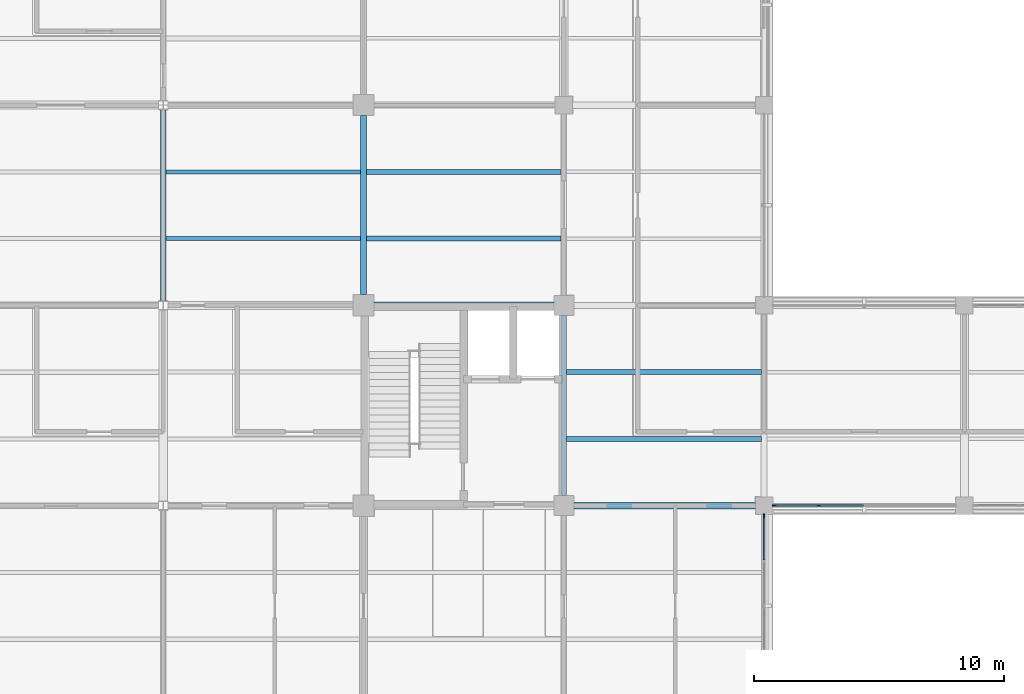
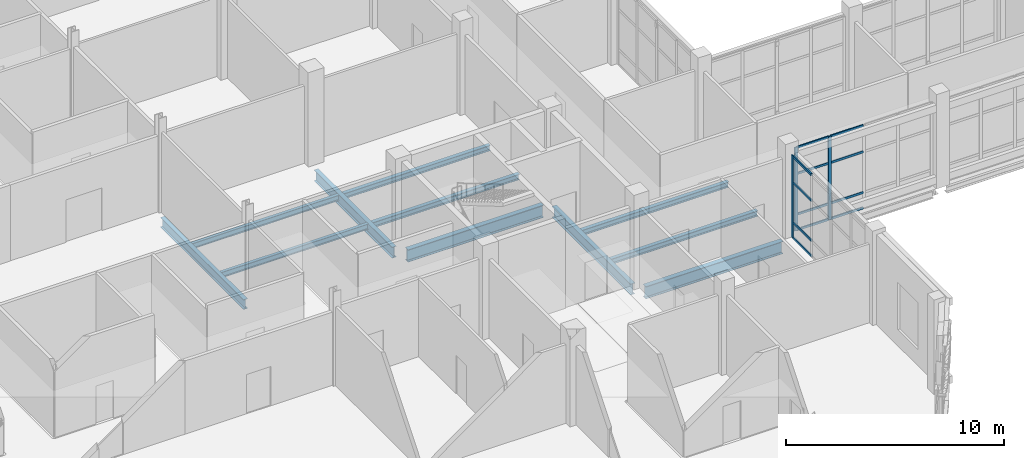
# One storey, part 22 of 105: 15 members, 11 beams, 2 elements without a shape of their own.
"""IFC4 building model written with IfcOpenShell, lengths in metres."""

from ifc_helpers import new_model, si_unit, derived_unit, direction, frame, origin, origin_2d, place, context, subcontext, project, spatial, rectangle, i_section, extrude, material, layer, layer_set, material_profile, profile_set, type_object, element, aggregate, save


model = new_model("IFC4")

# Units and contexts
model_context = context("Model", 3, precision=1e-05, world=origin(), true_north=direction((0.0, 1.0)))
body_context = subcontext(model_context, "Body", "Model", "MODEL_VIEW")
ifc_project = project(units=[si_unit("LENGTHUNIT", "METRE"), si_unit("AREAUNIT", "SQUARE_METRE"), si_unit("VOLUMEUNIT", "CUBIC_METRE"), si_unit("PLANEANGLEUNIT", "RADIAN"), si_unit("MASSUNIT", "GRAM", prefix="KILO"), derived_unit("THERMALTRANSMITTANCEUNIT", [(si_unit("MASSUNIT", "GRAM", prefix="KILO"), 1), (si_unit("TIMEUNIT", "SECOND"), -3), (si_unit("THERMODYNAMICTEMPERATUREUNIT", "KELVIN"), -1)])], contexts=[model_context])

# Site, building, storey
site_placement = place(None, origin())
site = spatial("IfcSite", under=ifc_project, at=site_placement, CompositionType="ELEMENT")
building_placement = place(site_placement, origin())
building = spatial("IfcBuilding", under=site, at=building_placement, Name="Veyamyaing Civic Hall", CompositionType="ELEMENT")
storey_placement = place(building_placement, origin())
storey = spatial("IfcBuildingStorey", under=building, at=storey_placement, Name="L00", CompositionType="ELEMENT", Elevation=0.0)

# Beams
ifc_material_1 = material(Name="Steel ASTM A992", Category="steel")
ifc_material_profile_1 = material_profile(ifc_material_1, i_section(OverallWidth=0.256103515625, OverallDepth=0.693115234375, WebThickness=0.014404296875, FlangeThickness=0.023681640625, FilletRadius=0.013916015625, at=origin_2d()), Name="W690X170")
ifc_profile_set_1 = profile_set([ifc_material_profile_1], Name="Steel ASTM A992")
beam_type_1 = type_object("IfcBeamType", Name="B-04", PredefinedType="BEAM", material=ifc_profile_set_1)
beam_1_placement = place(storey_placement, frame((112.39990234375, 48.0, -0.611572265625), z_axis=(1.0, 0.0, 0.0), x_axis=(0.0, 1.0, 0.0)))
element("IfcBeam", 1, at=beam_1_placement, inside=storey, type_object=beam_type_1, Name="Girder B-04 L00 Grid G 15-16", PredefinedType="BEAM", context=body_context, shape_type="SweptSolid", body=[
    extrude(i_section(OverallWidth=0.256103515625, OverallDepth=0.693115234375, WebThickness=0.014404296875, FlangeThickness=0.023681640625, FilletRadius=0.013916015625, at=origin_2d()), origin(), (0.0, 0.0, 1.0), 7.25),
])
beam_2_placement = place(storey_placement, frame((104.425048828125, 56.0, -0.611572265625), z_axis=(1.0, 0.0, 0.0), x_axis=(0.0, 1.0, 0.0)))
element("IfcBeam", 2, at=beam_2_placement, inside=storey, type_object=beam_type_1, Name="Girder B-04 L00 Grid H 14-15", PredefinedType="BEAM", context=body_context, shape_type="SweptSolid", body=[
    extrude(i_section(OverallWidth=0.256103515625, OverallDepth=0.693115234375, WebThickness=0.014404296875, FlangeThickness=0.023681640625, FilletRadius=0.013916015625, at=origin_2d()), origin(), (0.0, 0.0, 1.0), 7.175048828125),
])
ifc_material_profile_2 = material_profile(ifc_material_1, i_section(OverallWidth=0.22998046875, OverallDepth=0.616943359375, WebThickness=0.01318359375, FlangeThickness=0.022216796875, FilletRadius=0.012939453125, at=origin_2d()), Name="W610X140")
ifc_profile_set_2 = profile_set([ifc_material_profile_2], Name="Steel ASTM A992")
beam_type_2 = type_object("IfcBeamType", Name="B-05", PredefinedType="BEAM", material=ifc_profile_set_2)
beam_3_placement = place(storey_placement, frame((104.0, 56.425048828125, -0.573486328125), z_axis=(0.0, 1.0, 0.0), x_axis=(-1.0, 0.0, 0.0)))
element("IfcBeam", 3, at=beam_3_placement, inside=storey, type_object=beam_type_2, Name="Girder B-05 L00 Grid 14 H-J", PredefinedType="BEAM", context=body_context, shape_type="SweptSolid", body=[
    extrude(i_section(OverallWidth=0.22998046875, OverallDepth=0.616943359375, WebThickness=0.01318359375, FlangeThickness=0.022216796875, FilletRadius=0.012939453125, at=origin_2d()), origin(), (0.0, 0.0, 1.0), 7.14990234375),
])
beam_4_placement = place(storey_placement, frame((112.0, 48.39990234375, -0.573486328125), z_axis=(0.0, 1.0, 0.0), x_axis=(-1.0, 0.0, 0.0)))
element("IfcBeam", 4, at=beam_4_placement, inside=storey, type_object=beam_type_2, Name="Girder B-05 L00 Grid 15 G-H", PredefinedType="BEAM", context=body_context, shape_type="SweptSolid", body=[
    extrude(i_section(OverallWidth=0.22998046875, OverallDepth=0.616943359375, WebThickness=0.01318359375, FlangeThickness=0.022216796875, FilletRadius=0.012939453125, at=origin_2d()), origin(), (0.0, 0.0, 1.0), 7.2001953125),
])
ifc_material_profile_3 = material_profile(ifc_material_1, i_section(OverallWidth=0.214111328125, OverallDepth=0.549072265625, WebThickness=0.0146484375, FlangeThickness=0.023681640625, FilletRadius=0.011962890625, at=origin_2d()), Name="W530X138")
ifc_profile_set_3 = profile_set([ifc_material_profile_3], Name="Steel ASTM A992")
beam_type_3 = type_object("IfcBeamType", Name="B-16", PredefinedType="BEAM", material=ifc_profile_set_3)
beam_5_placement = place(storey_placement, frame((96.0, 56.193603515625, -0.53955078125), z_axis=(0.0, 1.0, 0.0), x_axis=(-1.0, 0.0, 0.0)))
element("IfcBeam", 5, at=beam_5_placement, inside=storey, type_object=beam_type_3, Name="Girder B-16 L00 Grid 13 H-J", PredefinedType="BEAM", context=body_context, shape_type="SweptSolid", body=[
    extrude(i_section(OverallWidth=0.214111328125, OverallDepth=0.549072265625, WebThickness=0.0146484375, FlangeThickness=0.023681640625, FilletRadius=0.011962890625, at=origin_2d()), origin(), (0.0, 0.0, 1.0), 7.61279296875),
])

# Curtain wall, members
ifc_material_2 = material(Name="Anodised aluminium 6063-T6", Category="aluminium")
ifc_layer_1 = layer(ifc_material_2, 0.159912109375, Name="Anodised aluminium 6063-T6")
ifc_layer_set_1 = layer_set([ifc_layer_1], Name="Anodised aluminium 6063-T6")
curtain_wall_type_1 = type_object("IfcCurtainWallType", Name="CW-01", PredefinedType="NOTDEFINED", material=ifc_layer_set_1)
curtain_wall_1_placement = place(storey_placement, origin())
curtain_wall_1 = element("IfcCurtainWall", 6, at=curtain_wall_1_placement, inside=storey, type_object=curtain_wall_type_1, Name="Unitized curtain wall CW-01 L00 S 16.7", PredefinedType="NOTDEFINED")
ifc_material_profile_4 = material_profile(ifc_material_2, rectangle(XDim=0.06494140625, YDim=0.159912109375, at=origin_2d()), Name="ALU-MUL-65X160")
ifc_profile_set_4 = profile_set([ifc_material_profile_4], Name="Anodised aluminium 6063-T6")
member_type_1 = type_object("IfcMemberType", Name="CWM-01", PredefinedType="MULLION", material=ifc_profile_set_4)
member_1_placement = place(storey_placement, frame((120.41259765625, 48.0, 0.0), z_axis=(0.0, 0.0, 1.0), x_axis=(0.0, 1.0, 0.0)))
member_1 = element("IfcMember", 7, at=member_1_placement, type_object=member_type_1, Name="CW-01 mullion 1", PredefinedType="MULLION", context=body_context, shape_type="SweptSolid", body=[
    extrude(rectangle(XDim=0.06494140625, YDim=0.159912109375, at=origin_2d()), origin(), (0.0, 0.0, 1.0), 4.674072265625),
])
member_2_placement = place(storey_placement, frame((122.18994140625, 48.0, 0.0), z_axis=(0.0, 0.0, 1.0), x_axis=(0.0, 1.0, 0.0)))
member_2 = element("IfcMember", 8, at=member_2_placement, type_object=member_type_1, Name="CW-01 mullion 2", PredefinedType="MULLION", context=body_context, shape_type="SweptSolid", body=[
    extrude(rectangle(XDim=0.06494140625, YDim=0.159912109375, at=origin_2d()), origin(), (0.0, 0.0, 1.0), 4.674072265625),
])

# Curtain wall, member
ifc_layer_2 = layer(ifc_material_2, 0.179931640625, Name="Anodised aluminium 6063-T6")
ifc_layer_set_2 = layer_set([ifc_layer_2], Name="Anodised aluminium 6063-T6")
curtain_wall_type_2 = type_object("IfcCurtainWallType", Name="CW-06", PredefinedType="NOTDEFINED", material=ifc_layer_set_2)
curtain_wall_2_placement = place(storey_placement, origin())
curtain_wall_2 = element("IfcCurtainWall", 9, at=curtain_wall_2_placement, inside=storey, type_object=curtain_wall_type_2, Name="Unitized curtain wall CW-06 L00 E 15.6", PredefinedType="NOTDEFINED")
ifc_material_profile_5 = material_profile(ifc_material_2, rectangle(XDim=0.06494140625, YDim=0.179931640625, at=origin_2d()), Name="ALU-MUL-65X180")
ifc_profile_set_5 = profile_set([ifc_material_profile_5], Name="Anodised aluminium 6063-T6")
member_type_2 = type_object("IfcMemberType", Name="CWM-02", PredefinedType="MULLION", material=ifc_profile_set_5)
member_3_placement = place(storey_placement, frame((120.0, 47.58740234375, 0.0), z_axis=(0.0, 0.0, 1.0), x_axis=(-1.0, 0.0, 0.0)))
member_3 = element("IfcMember", 10, at=member_3_placement, type_object=member_type_2, Name="CW-06 mullion 5", PredefinedType="MULLION", context=body_context, shape_type="SweptSolid", body=[
    extrude(rectangle(XDim=0.06494140625, YDim=0.179931640625, at=origin_2d()), origin(), (0.0, 0.0, 1.0), 4.610107421875),
])

# Member
ifc_material_profile_6 = material_profile(ifc_material_2, rectangle(XDim=0.06494140625, YDim=0.1201171875, at=origin_2d()), Name="ALU-TRN-65X120")
ifc_profile_set_6 = profile_set([ifc_material_profile_6], Name="Anodised aluminium 6063-T6")
member_type_3 = type_object("IfcMemberType", Name="CWT-01", PredefinedType="USERDEFINED", material=ifc_profile_set_6)
member_4_placement = place(storey_placement, frame((120.445068359375, 48.0, 0.032470703125), z_axis=(1.0, 0.0, 0.0), x_axis=(0.0, 1.0, 0.0)))
member_4 = element("IfcMember", 11, at=member_4_placement, type_object=member_type_3, Name="CW-01 transom 1.1", ObjectType="TRANSOM", PredefinedType="USERDEFINED", context=body_context, shape_type="SweptSolid", body=[
    extrude(rectangle(XDim=0.06494140625, YDim=0.1201171875, at=origin_2d()), origin(), (0.0, 0.0, 1.0), 1.71240234375),
])

member_5_placement = place(storey_placement, frame((120.445068359375, 48.0, 0.89990234375), z_axis=(1.0, 0.0, 0.0), x_axis=(0.0, 1.0, 0.0)))
member_5 = element("IfcMember", 12, at=member_5_placement, type_object=member_type_3, Name="CW-01 transom 1.2", ObjectType="TRANSOM", PredefinedType="USERDEFINED", context=body_context, shape_type="SweptSolid", body=[
    extrude(rectangle(XDim=0.06494140625, YDim=0.1201171875, at=origin_2d()), origin(), (0.0, 0.0, 1.0), 1.71240234375),
])

member_6_placement = place(storey_placement, frame((120.445068359375, 48.0, 3.17822265625), z_axis=(1.0, 0.0, 0.0), x_axis=(0.0, 1.0, 0.0)))
member_6 = element("IfcMember", 13, at=member_6_placement, type_object=member_type_3, Name="CW-01 transom 1.3", ObjectType="TRANSOM", PredefinedType="USERDEFINED", context=body_context, shape_type="SweptSolid", body=[
    extrude(rectangle(XDim=0.06494140625, YDim=0.1201171875, at=origin_2d()), origin(), (0.0, 0.0, 1.0), 1.71240234375),
])

member_7_placement = place(storey_placement, frame((120.445068359375, 48.0, 4.6416015625), z_axis=(1.0, 0.0, 0.0), x_axis=(0.0, 1.0, 0.0)))
member_7 = element("IfcMember", 14, at=member_7_placement, type_object=member_type_3, Name="CW-01 transom 1.4", ObjectType="TRANSOM", PredefinedType="USERDEFINED", context=body_context, shape_type="SweptSolid", body=[
    extrude(rectangle(XDim=0.06494140625, YDim=0.1201171875, at=origin_2d()), origin(), (0.0, 0.0, 1.0), 1.71240234375),
])

member_8_placement = place(storey_placement, frame((122.222412109375, 48.0, 0.032470703125), z_axis=(1.0, 0.0, 0.0), x_axis=(0.0, 1.0, 0.0)))
member_8 = element("IfcMember", 15, at=member_8_placement, type_object=member_type_3, Name="CW-01 transom 2.1", ObjectType="TRANSOM", PredefinedType="USERDEFINED", context=body_context, shape_type="SweptSolid", body=[
    extrude(rectangle(XDim=0.06494140625, YDim=0.1201171875, at=origin_2d()), origin(), (0.0, 0.0, 1.0), 1.7451171875),
])

member_9_placement = place(storey_placement, frame((122.222412109375, 48.0, 0.89990234375), z_axis=(1.0, 0.0, 0.0), x_axis=(0.0, 1.0, 0.0)))
member_9 = element("IfcMember", 16, at=member_9_placement, type_object=member_type_3, Name="CW-01 transom 2.2", ObjectType="TRANSOM", PredefinedType="USERDEFINED", context=body_context, shape_type="SweptSolid", body=[
    extrude(rectangle(XDim=0.06494140625, YDim=0.1201171875, at=origin_2d()), origin(), (0.0, 0.0, 1.0), 1.7451171875),
])

member_10_placement = place(storey_placement, frame((122.222412109375, 48.0, 3.17822265625), z_axis=(1.0, 0.0, 0.0), x_axis=(0.0, 1.0, 0.0)))
member_10 = element("IfcMember", 17, at=member_10_placement, type_object=member_type_3, Name="CW-01 transom 2.3", ObjectType="TRANSOM", PredefinedType="USERDEFINED", context=body_context, shape_type="SweptSolid", body=[
    extrude(rectangle(XDim=0.06494140625, YDim=0.1201171875, at=origin_2d()), origin(), (0.0, 0.0, 1.0), 1.7451171875),
])

member_11_placement = place(storey_placement, frame((122.222412109375, 48.0, 4.6416015625), z_axis=(1.0, 0.0, 0.0), x_axis=(0.0, 1.0, 0.0)))
member_11 = element("IfcMember", 18, at=member_11_placement, type_object=member_type_3, Name="CW-01 transom 2.4", ObjectType="TRANSOM", PredefinedType="USERDEFINED", context=body_context, shape_type="SweptSolid", body=[
    extrude(rectangle(XDim=0.06494140625, YDim=0.1201171875, at=origin_2d()), origin(), (0.0, 0.0, 1.0), 1.7451171875),
])

aggregate(curtain_wall_1, [member_1, member_2, member_4, member_5, member_6, member_7, member_8, member_9, member_10, member_11])

ifc_material_profile_7 = material_profile(ifc_material_2, rectangle(XDim=0.06494140625, YDim=0.139892578125, at=origin_2d()), Name="ALU-TRN-65X140")
ifc_profile_set_7 = profile_set([ifc_material_profile_7], Name="Anodised aluminium 6063-T6")
member_type_4 = type_object("IfcMemberType", Name="CWT-02", PredefinedType="USERDEFINED", material=ifc_profile_set_7)
member_12_placement = place(storey_placement, frame((120.0, 45.842529296875, 0.032470703125), z_axis=(0.0, 1.0, 0.0), x_axis=(-1.0, 0.0, 0.0)))
member_12 = element("IfcMember", 19, at=member_12_placement, type_object=member_type_4, Name="CW-06 transom 4.1", ObjectType="TRANSOM", PredefinedType="USERDEFINED", context=body_context, shape_type="SweptSolid", body=[
    extrude(rectangle(XDim=0.06494140625, YDim=0.139892578125, at=origin_2d()), origin(), (0.0, 0.0, 1.0), 1.71240234375),
])

member_13_placement = place(storey_placement, frame((120.0, 45.842529296875, 0.89990234375), z_axis=(0.0, 1.0, 0.0), x_axis=(-1.0, 0.0, 0.0)))
member_13 = element("IfcMember", 20, at=member_13_placement, type_object=member_type_4, Name="CW-06 transom 4.2", ObjectType="TRANSOM", PredefinedType="USERDEFINED", context=body_context, shape_type="SweptSolid", body=[
    extrude(rectangle(XDim=0.06494140625, YDim=0.139892578125, at=origin_2d()), origin(), (0.0, 0.0, 1.0), 1.71240234375),
])

member_14_placement = place(storey_placement, frame((120.0, 45.842529296875, 3.134765625), z_axis=(0.0, 1.0, 0.0), x_axis=(-1.0, 0.0, 0.0)))
member_14 = element("IfcMember", 21, at=member_14_placement, type_object=member_type_4, Name="CW-06 transom 4.3", ObjectType="TRANSOM", PredefinedType="USERDEFINED", context=body_context, shape_type="SweptSolid", body=[
    extrude(rectangle(XDim=0.06494140625, YDim=0.139892578125, at=origin_2d()), origin(), (0.0, 0.0, 1.0), 1.71240234375),
])

member_15_placement = place(storey_placement, frame((120.0, 45.842529296875, 4.577392578125), z_axis=(0.0, 1.0, 0.0), x_axis=(-1.0, 0.0, 0.0)))
member_15 = element("IfcMember", 22, at=member_15_placement, type_object=member_type_4, Name="CW-06 transom 4.4", ObjectType="TRANSOM", PredefinedType="USERDEFINED", context=body_context, shape_type="SweptSolid", body=[
    extrude(rectangle(XDim=0.06494140625, YDim=0.139892578125, at=origin_2d()), origin(), (0.0, 0.0, 1.0), 1.71240234375),
])

aggregate(curtain_wall_2, [member_3, member_12, member_13, member_14, member_15])

# Beams
ifc_material_profile_8 = material_profile(ifc_material_1, i_section(OverallWidth=0.1650390625, OverallDepth=0.31005859375, WebThickness=0.005859375, FlangeThickness=0.009765625, FilletRadius=0.010009765625, at=origin_2d()), Name="W310X39")
ifc_profile_set_8 = profile_set([ifc_material_profile_8], Name="Steel ASTM A992")
beam_type_4 = type_object("IfcBeamType", Name="J-05", PredefinedType="JOIST", material=ifc_profile_set_8)
for number, where, z_axis, x_axis, name in (
    (23, (96.10498046875, 58.666748046875, -0.419921875), (1.0, 0.0, 0.0), (0.0, 1.0, 0.0), "Composite floor joist J-05 L00 13.8.1"),
    (24, (96.10498046875, 61.333251953125, -0.419921875), (1.0, 0.0, 0.0), (0.0, 1.0, 0.0), "Composite floor joist J-05 L00 13.8.2"),
):
    element("IfcBeam", number, at=place(storey_placement, frame(where, z_axis=z_axis, x_axis=x_axis)), inside=storey, type_object=beam_type_4, Name=name, PredefinedType="JOIST", context=body_context, shape_type="SweptSolid", body=[
        extrude(i_section(OverallWidth=0.1650390625, OverallDepth=0.31005859375, WebThickness=0.005859375, FlangeThickness=0.009765625, FilletRadius=0.010009765625, at=origin_2d()), origin(), (0.0, 0.0, 1.0), 7.781982421875),
    ])
ifc_material_profile_9 = material_profile(ifc_material_1, i_section(OverallWidth=0.2041015625, OverallDepth=0.305908203125, WebThickness=0.008544921875, FlangeThickness=0.0146484375, FilletRadius=0.010009765625, at=origin_2d()), Name="W310X67")
ifc_profile_set_9 = profile_set([ifc_material_profile_9], Name="Steel ASTM A992")
beam_type_5 = type_object("IfcBeamType", Name="J-06", PredefinedType="JOIST", material=ifc_profile_set_9)
for number, where, z_axis, x_axis, name in (
    (25, (104.113037109375, 58.666748046875, -0.41796875), (1.0, 0.0, 0.0), (0.0, 1.0, 0.0), "Composite floor joist J-06 L00 14.8.1"),
    (26, (104.113037109375, 61.333251953125, -0.41796875), (1.0, 0.0, 0.0), (0.0, 1.0, 0.0), "Composite floor joist J-06 L00 14.8.2"),
    (27, (112.113037109375, 50.666748046875, -0.41796875), (1.0, 0.0, 0.0), (0.0, 1.0, 0.0), "Composite floor joist J-06 L00 15.7.1"),
    (28, (112.113037109375, 53.333251953125, -0.41796875), (1.0, 0.0, 0.0), (0.0, 1.0, 0.0), "Composite floor joist J-06 L00 15.7.2"),
):
    element("IfcBeam", number, at=place(storey_placement, frame(where, z_axis=z_axis, x_axis=x_axis)), inside=storey, type_object=beam_type_5, Name=name, PredefinedType="JOIST", context=body_context, shape_type="SweptSolid", body=[
        extrude(i_section(OverallWidth=0.2041015625, OverallDepth=0.305908203125, WebThickness=0.008544921875, FlangeThickness=0.0146484375, FilletRadius=0.010009765625, at=origin_2d()), origin(), (0.0, 0.0, 1.0), 7.77490234375),
    ])

save(model, "model.ifc")
